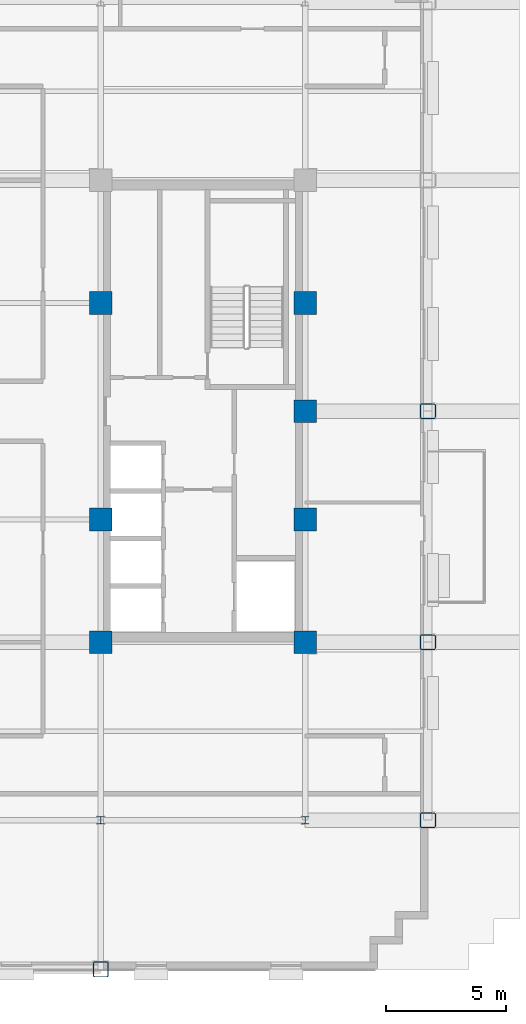
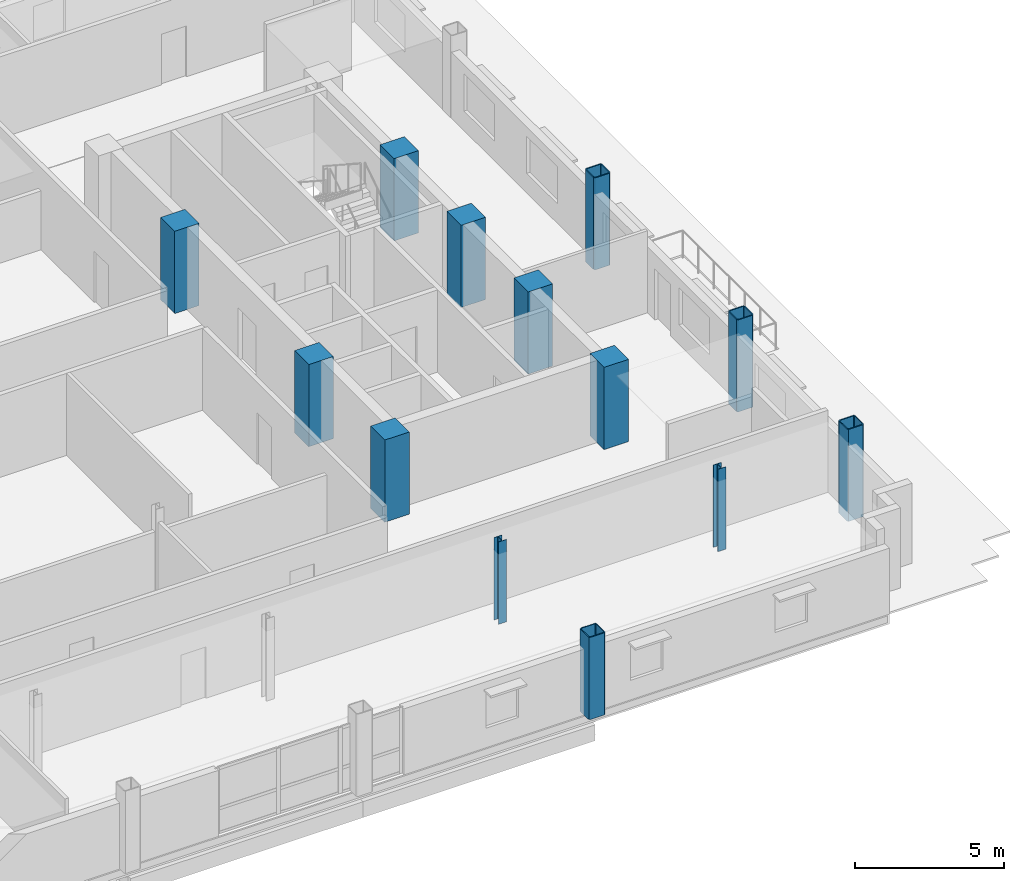
# One storey, part 2 of 17: 13 columns.
"""IFC4 building model written with IfcOpenShell, lengths in metres."""

from ifc_helpers import new_model, si_unit, direction, frame, origin, origin_2d, place, context, subcontext, project, spatial, rectangle, hollow_rectangle, i_section, extrude, material, material_profile, profile_set, type_object, element, save


model = new_model("IFC4")

# Units and contexts
model_context = context("Model", 3, precision=1e-05, world=origin(), true_north=direction((0.0, 1.0)))
body_context = subcontext(model_context, "Body", "Model", "MODEL_VIEW")
ifc_project = project(units=[si_unit("LENGTHUNIT", "METRE"), si_unit("AREAUNIT", "SQUARE_METRE"), si_unit("VOLUMEUNIT", "CUBIC_METRE"), si_unit("PLANEANGLEUNIT", "RADIAN"), si_unit("MASSUNIT", "GRAM", prefix="KILO")], contexts=[model_context])

# Site, building, storey
site_placement = place(None, origin())
site = spatial("IfcSite", under=ifc_project, at=site_placement, CompositionType="ELEMENT")
building_placement = place(site_placement, origin())
building = spatial("IfcBuilding", under=site, at=building_placement, Name="Nuvemarco Arch Tower", CompositionType="ELEMENT")
storey_placement = place(building_placement, frame((0.0, 0.0, 167.64990234375)))
storey = spatial("IfcBuildingStorey", under=building, at=storey_placement, Name="L44", CompositionType="ELEMENT", Elevation=167.64990234375)

# Columns
ifc_material_1 = material(Name="Concrete C50/60", Category="concrete")
ifc_material_profile_1 = material_profile(ifc_material_1, rectangle(XDim=0.949951171875, YDim=0.949951171875, at=origin_2d()), Name="RC-COL-950x950")
ifc_profile_set_1 = profile_set([ifc_material_profile_1], Name="Concrete C50/60")
column_type_1 = type_object("IfcColumnType", Name="COL-CORE-950", PredefinedType="COLUMN", material=ifc_profile_set_1)
for number, where, z_axis, x_axis, name in (
    (1, (9.0, -9.60009765625, 0.0), (0.0, 0.0, 1.0), (1.0, 0.0, 0.0), "L44 column CC_+9.0_-9.6"),
    (2, (9.0, -4.5, 0.0), (0.0, 0.0, 1.0), (1.0, 0.0, 0.0), "L44 column CC_+9.0_-4.5"),
    (3, (9.0, 4.5, 0.0), (0.0, 0.0, 1.0), (1.0, 0.0, 0.0), "L44 column CC_+9.0_+4.5"),
    (4, (17.5, -9.60009765625, 0.0), (0.0, 0.0, 1.0), (1.0, 0.0, 0.0), "L44 column CC_+17.5_-9.6"),
    (5, (17.5, -4.5, 0.0), (0.0, 0.0, 1.0), (1.0, 0.0, 0.0), "L44 column CC_+17.5_-4.5"),
    (6, (17.5, 4.5, 0.0), (0.0, 0.0, 1.0), (1.0, 0.0, 0.0), "L44 column CC_+17.5_+4.5"),
    (7, (17.5, 0.0, 0.0), (0.0, 0.0, 1.0), (1.0, 0.0, 0.0), "L44 column CC_+17.5_+0.0"),
):
    element("IfcColumn", number, at=place(storey_placement, frame(where, z_axis=z_axis, x_axis=x_axis)), inside=storey, type_object=column_type_1, Name=name, PredefinedType="COLUMN", context=body_context, shape_type="SweptSolid", body=[
        extrude(rectangle(XDim=0.949951171875, YDim=0.949951171875, at=origin_2d()), origin(), (0.0, 0.0, 1.0), 3.3701171875),
    ])
ifc_material_2 = material(Name="Steel S355", Category="steel")
ifc_material_profile_2 = material_profile(ifc_material_2, hollow_rectangle(XDim=0.64990234375, YDim=0.64990234375, WallThickness=0.0400390625, InnerFilletRadius=0.0400390625, OuterFilletRadius=0.080078125, at=origin_2d()), Name="SHS650x650x40")
ifc_profile_set_2 = profile_set([ifc_material_profile_2], Name="Steel S355")
column_type_2 = type_object("IfcColumnType", Name="COL-EXO-650", PredefinedType="COLUMN", material=ifc_profile_set_2)
for number, where, z_axis, x_axis, name in (
    (8, (22.60009765625, -17.0, -0.39990234375), (0.0, 0.0, 1.0), (1.0, 0.0, 0.0), "L44 column CX_+22.6_-17.0"),
    (9, (22.60009765625, -9.60009765625, -0.39990234375), (0.0, 0.0, 1.0), (1.0, 0.0, 0.0), "L44 column CX_+22.6_-9.6"),
    (10, (22.60009765625, 0.0, -0.39990234375), (0.0, 0.0, 1.0), (1.0, 0.0, 0.0), "L44 column CX_+22.6_+0.0"),
):
    element("IfcColumn", number, at=place(storey_placement, frame(where, z_axis=z_axis, x_axis=x_axis)), inside=storey, type_object=column_type_2, Name=name, PredefinedType="COLUMN", context=body_context, shape_type="SweptSolid", body=[
        extrude(hollow_rectangle(XDim=0.64990234375, YDim=0.64990234375, WallThickness=0.0400390625, InnerFilletRadius=0.0400390625, OuterFilletRadius=0.080078125, at=origin_2d()), origin(), (0.0, 0.0, 1.0), 3.77001953125),
    ])
column_placement = place(storey_placement, frame((9.0, -23.199951171875, 0.0), z_axis=(0.0, 0.0, 1.0), x_axis=(1.0, 0.0, 0.0)))
element("IfcColumn", 11, at=column_placement, inside=storey, type_object=column_type_2, Name="L44 column CY_+9.0_-23.2", PredefinedType="COLUMN", context=body_context, shape_type="SweptSolid", body=[
    extrude(hollow_rectangle(XDim=0.64990234375, YDim=0.64990234375, WallThickness=0.0400390625, InnerFilletRadius=0.0400390625, OuterFilletRadius=0.080078125, at=origin_2d()), origin(), (0.0, 0.0, 1.0), 3.3701171875),
])
ifc_material_profile_3 = material_profile(ifc_material_2, i_section(OverallWidth=0.31005859375, OverallDepth=0.31005859375, WebThickness=0.015380859375, FlangeThickness=0.015380859375, FilletRadius=0.014892578125, at=origin_2d()), Name="HP310x110")
ifc_profile_set_3 = profile_set([ifc_material_profile_3], Name="Steel S355")
column_type_3 = type_object("IfcColumnType", Name="COL-STL-HP310", PredefinedType="COLUMN", material=ifc_profile_set_3)
for number, where, z_axis, x_axis, name in (
    (12, (9.0, -17.0, 0.0), (0.0, 0.0, 1.0), (1.0, 0.0, 0.0), "L44 column CI_+9.0_-17.0"),
    (13, (17.5, -17.0, 0.0), (0.0, 0.0, 1.0), (1.0, 0.0, 0.0), "L44 column CI_+17.5_-17.0"),
):
    element("IfcColumn", number, at=place(storey_placement, frame(where, z_axis=z_axis, x_axis=x_axis)), inside=storey, type_object=column_type_3, Name=name, PredefinedType="COLUMN", context=body_context, shape_type="SweptSolid", body=[
        extrude(i_section(OverallWidth=0.31005859375, OverallDepth=0.31005859375, WebThickness=0.015380859375, FlangeThickness=0.015380859375, FilletRadius=0.014892578125, at=origin_2d()), origin(), (0.0, 0.0, 1.0), 3.3701171875),
    ])

save(model, "model.ifc")
